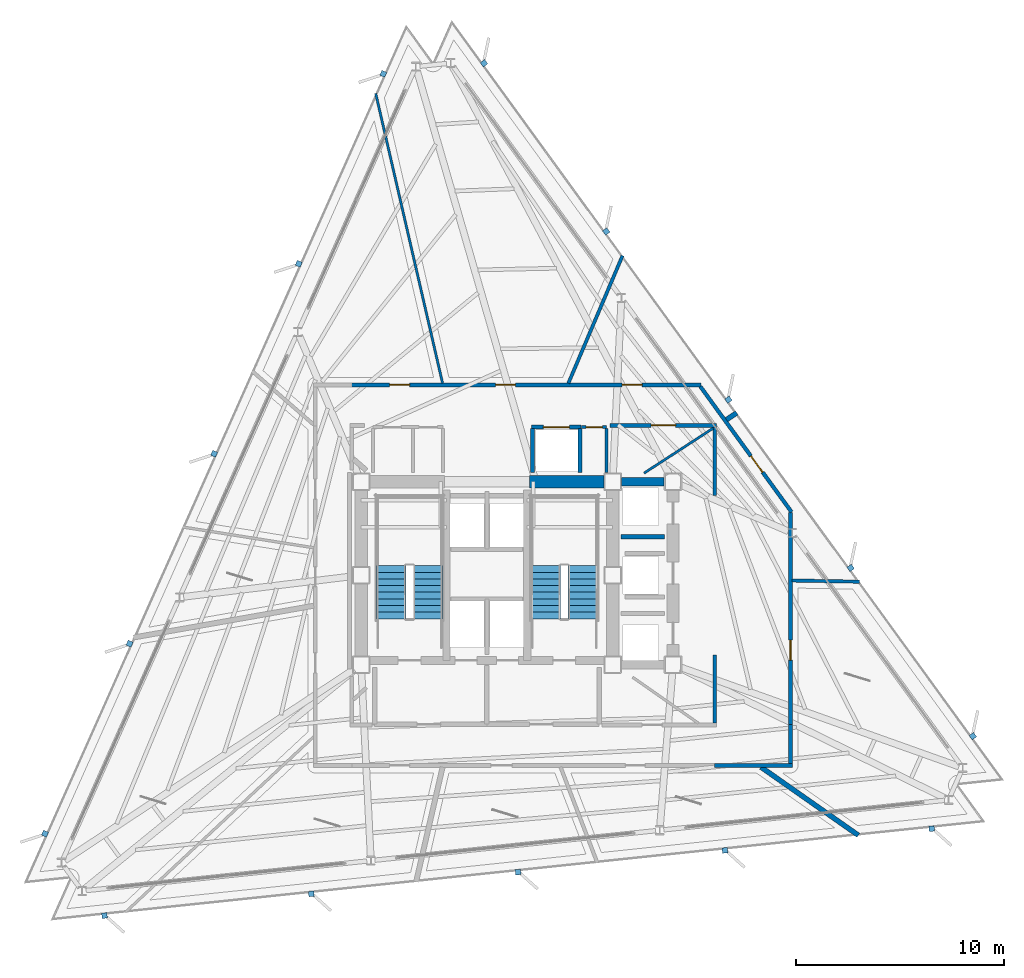
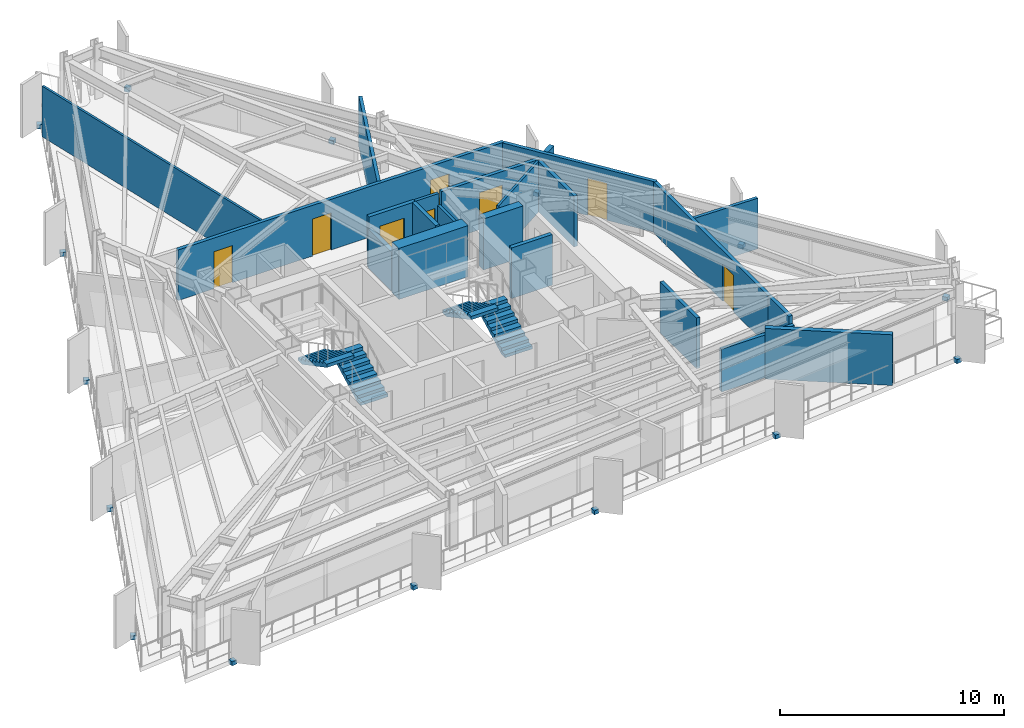
# One storey, part 9 of 12: 22 walls, 15 discrete accessories, 8 doors, 4 stair flights, 8 openings, 2 elements without a shape of their own.
"""IFC4 building model written with IfcOpenShell, lengths in metres."""

from ifc_helpers import new_model, si_unit, direction, frame, frame_2d, origin, origin_2d, place, context, subcontext, project, spatial, polyline, rectangle, outline, extrude, material, layer, layer_set, type_object, element, fill, aggregate, save


model = new_model("IFC4")

# Units and contexts
model_context = context("Model", 3, precision=1e-05, world=origin(), true_north=direction((0.0, 1.0)))
body_context = subcontext(model_context, "Body", "Model", "MODEL_VIEW")
ifc_project = project(units=[si_unit("LENGTHUNIT", "METRE"), si_unit("AREAUNIT", "SQUARE_METRE"), si_unit("VOLUMEUNIT", "CUBIC_METRE"), si_unit("PLANEANGLEUNIT", "RADIAN"), si_unit("MASSUNIT", "GRAM", prefix="KILO")], contexts=[model_context])

# Site, building, storey
site_placement = place(None, origin())
site = spatial("IfcSite", under=ifc_project, at=site_placement, CompositionType="ELEMENT")
building_placement = place(site_placement, origin())
building = spatial("IfcBuilding", under=site, at=building_placement, Name="Rocaltana Carrier Exchange", CompositionType="ELEMENT")
storey_placement = place(building_placement, frame((0.0, 0.0, 113.760009765625)))
storey = spatial("IfcBuildingStorey", under=building, at=storey_placement, Name="L35", CompositionType="ELEMENT", Elevation=113.760009765625)

# Walls
ifc_material_1 = material(Name="Double Acoustic Gypsum Partition", Category="gypsum")
ifc_layer_1 = layer(ifc_material_1, 0.159912109375)
ifc_layer_set_1 = layer_set([ifc_layer_1], Name="Double Acoustic Gypsum Partition")
wall_type_1 = type_object("IfcWallType", Name="Acoustic Studio Partition 160 EI60", PredefinedType="PARTITIONING", material=ifc_layer_set_1)
wall_1_placement = place(storey_placement, frame((14.679931640625, -0.256103515625, 0.0), z_axis=(0.0, 0.0, 1.0), x_axis=(0.999846583078, -0.017516001455, 0.0)))
element("IfcWall", 1, at=wall_1_placement, inside=storey, type_object=wall_type_1, Name="L35 Suite Divider Wall D8", PredefinedType="PARTITIONING", context=body_context, shape_type="SweptSolid", body=[
    extrude(rectangle(XDim=3.233642578125, YDim=0.159912109375, at=frame_2d((1.61669921875, 0.0))), origin(), (0.0, 0.0, 1.0), 2.762939453125),
])
wall_2_placement = place(storey_placement, frame((3.91796875, 9.22998046875, 0.0), z_axis=(0.0, 0.0, 1.0), x_axis=(0.390716336296, 0.920511132226, 0.0)))
element("IfcWall", 2, at=wall_2_placement, inside=storey, type_object=wall_type_1, Name="L35 Suite Divider Wall D11", PredefinedType="PARTITIONING", context=body_context, shape_type="SweptSolid", body=[
    extrude(rectangle(XDim=6.665283203125, YDim=0.159912109375, at=frame_2d((3.33251953125, 0.0))), origin(), (0.0, 0.0, 1.0), 2.762939453125),
])
ifc_material_2 = material(Name="Concrete C50/60", Category="concrete")
ifc_layer_2 = layer(ifc_material_2, 0.39990234375)
ifc_layer_set_2 = layer_set([ifc_layer_2], Name="Concrete C50/60")
wall_type_2 = type_object("IfcWallType", Name="Core Internal Shear Wall 400", PredefinedType="SHEAR", material=ifc_layer_set_2)
wall_3_placement = place(storey_placement, frame((6.47509765625, 4.5, 0.0), z_axis=(0.0, 0.0, 1.0), x_axis=(1.0, 0.0, 0.0)))
element("IfcWall", 3, at=wall_3_placement, inside=storey, type_object=wall_type_2, Name="L35 Core Shear Wall CW-EWN", PredefinedType="SHEAR", context=body_context, shape_type="SweptSolid", body=[
    extrude(rectangle(XDim=2.0498046875, YDim=0.39990234375, at=frame_2d((1.02490234375, 0.0))), origin(), (0.0, 0.0, 1.0), 2.7880859375),
])
ifc_material_3 = material(Name="Concrete C50/60", Category="concrete")
ifc_layer_3 = layer(ifc_material_3, 0.60009765625)
ifc_layer_set_3 = layer_set([ifc_layer_3], Name="Concrete C50/60")
wall_type_3 = type_object("IfcWallType", Name="Core Shear Wall 600", PredefinedType="SHEAR", material=ifc_layer_set_3)
wall_4_placement = place(storey_placement, frame((2.050048828125, 4.5, 0.0), z_axis=(0.0, 0.0, 1.0), x_axis=(1.0, 0.0, 0.0)))
element("IfcWall", 4, at=wall_4_placement, inside=storey, type_object=wall_type_3, Name="L35 Core Shear Wall CW-N2", PredefinedType="SHEAR", context=body_context, shape_type="SweptSolid", body=[
    extrude(rectangle(XDim=3.574951171875, YDim=0.60009765625, at=frame_2d((1.78759765625, 0.0))), origin(), (0.0, 0.0, 1.0), 2.7880859375),
])

# Wall, openings, doors
ifc_material_4 = material(Name="Gypsum & Steel Stud Partition", Category="steel")
ifc_layer_4 = layer(ifc_material_4, 0.179931640625)
ifc_layer_set_4 = layer_set([ifc_layer_4], Name="Gypsum & Steel Stud Partition")
wall_type_4 = type_object("IfcWallType", Name="Corridor Fire Partition 180 EI60", PredefinedType="PARTITIONING", material=ifc_layer_set_4)
wall_5_placement = place(storey_placement, frame((-6.52001953125, 9.14990234375, 0.0), z_axis=(0.0, 0.0, 1.0), x_axis=(1.0, 0.0, 0.0)))
wall_5 = element("IfcWall", 5, at=wall_5_placement, inside=storey, type_object=wall_type_4, Name="L35 Corridor Partition 6", PredefinedType="PARTITIONING", context=body_context, shape_type="SweptSolid", body=[
    extrude(rectangle(XDim=16.820068359375, YDim=0.179931640625, at=frame_2d((8.41015625, 0.0))), origin(), (0.0, 0.0, 1.0), 2.762939453125),
])
opening_1_placement = place(wall_5_placement, frame((13.022216796875, 0.0, 0.0)))
opening_1 = element("IfcOpeningElement", 6, at=opening_1_placement, cuts=wall_5, Name="Opening D-RM098", PredefinedType="OPENING", context=body_context, shape_type="SweptSolid", body=[
    extrude(rectangle(XDim=0.9599609375, YDim=2.02001953125, at=frame_2d((0.47998046875, 1.010009765625))), frame((0.0, 0.099853515625, 0.0), z_axis=(0.0, -1.0, 0.0), x_axis=(1.0, 0.0, 0.0)), (0.0, 0.0, 1.0), 0.199951171875),
])
opening_2_placement = place(wall_5_placement, frame((6.933837890625, 0.0, 0.0)))
opening_2 = element("IfcOpeningElement", 7, at=opening_2_placement, cuts=wall_5, Name="Opening D-RM098", PredefinedType="OPENING", context=body_context, shape_type="SweptSolid", body=[
    extrude(rectangle(XDim=0.9599609375, YDim=2.02001953125, at=frame_2d((0.47998046875, 1.010009765625))), frame((0.0, 0.099853515625, 0.0), z_axis=(0.0, -1.0, 0.0), x_axis=(1.0, 0.0, 0.0)), (0.0, 0.0, 1.0), 0.199951171875),
])
opening_3_placement = place(wall_5_placement, frame((1.843505859375, 0.0, 0.0)))
opening_3 = element("IfcOpeningElement", 8, at=opening_3_placement, cuts=wall_5, Name="Opening D-RM098", PredefinedType="OPENING", context=body_context, shape_type="SweptSolid", body=[
    extrude(rectangle(XDim=0.9599609375, YDim=2.02001953125, at=frame_2d((0.47998046875, 1.010009765625))), frame((0.0, 0.099853515625, 0.0), z_axis=(0.0, -1.0, 0.0), x_axis=(1.0, 0.0, 0.0)), (0.0, 0.0, 1.0), 0.199951171875),
])
ifc_material_5 = material(Name="Engineered Hardwood Timber", Category="wood")
door_type_1 = type_object("IfcDoorType", Name="Workspace Single Door 960x2020", OperationType="NOTDEFINED", PredefinedType="DOOR", material=ifc_material_5)
door_1_placement = place(opening_1_placement, origin())
door_1 = element("IfcDoor", 9, at=door_1_placement, inside=storey, type_object=door_type_1, Name="L35 Cloud Architecture Office Entrance Door", OperationType="SINGLE_SWING_LEFT", OverallHeight=2.02001953125, OverallWidth=0.9599609375, PredefinedType="DOOR", context=body_context, shape_type="SweptSolid", body=[
    extrude(rectangle(XDim=0.9599609375, YDim=2.02001953125, at=frame_2d((0.47998046875, 1.010009765625))), frame((0.0, 0.02490234375, 0.0), z_axis=(0.0, -1.0, 0.0), x_axis=(1.0, 0.0, 0.0)), (0.0, 0.0, 1.0), 0.050048828125),
])
fill(opening_1, door_1)
door_2_placement = place(opening_2_placement, origin())
door_2 = element("IfcDoor", 10, at=door_2_placement, inside=storey, type_object=door_type_1, Name="L35 Peering Conference Room Entrance Door", OperationType="SINGLE_SWING_RIGHT", OverallHeight=2.02001953125, OverallWidth=0.9599609375, PredefinedType="DOOR", context=body_context, shape_type="SweptSolid", body=[
    extrude(rectangle(XDim=0.9599609375, YDim=2.02001953125, at=frame_2d((0.47998046875, 1.010009765625))), frame((0.0, 0.02490234375, 0.0), z_axis=(0.0, -1.0, 0.0), x_axis=(1.0, 0.0, 0.0)), (0.0, 0.0, 1.0), 0.050048828125),
])
fill(opening_2, door_2)
door_3_placement = place(opening_3_placement, origin())
door_3 = element("IfcDoor", 11, at=door_3_placement, inside=storey, type_object=door_type_1, Name="L35 Incident Briefing Room Entrance Door", OperationType="SINGLE_SWING_LEFT", OverallHeight=2.02001953125, OverallWidth=0.9599609375, PredefinedType="DOOR", context=body_context, shape_type="SweptSolid", body=[
    extrude(rectangle(XDim=0.9599609375, YDim=2.02001953125, at=frame_2d((0.47998046875, 1.010009765625))), frame((0.0, 0.02490234375, 0.0), z_axis=(0.0, -1.0, 0.0), x_axis=(1.0, 0.0, 0.0)), (0.0, 0.0, 1.0), 0.050048828125),
])
fill(opening_3, door_3)

# Wall, opening, door
wall_6_placement = place(storey_placement, frame((10.262939453125, 9.0771484375, 0.0), z_axis=(0.0, 0.0, 1.0), x_axis=(0.587780951295, -0.809020119215, 0.0)))
wall_6 = element("IfcWall", 12, at=wall_6_placement, inside=storey, type_object=wall_type_4, Name="L35 Corridor Partition 7", PredefinedType="PARTITIONING", context=body_context, shape_type="SweptSolid", body=[
    extrude(rectangle(XDim=7.468505859375, YDim=0.179931640625, at=frame_2d((3.734375, 0.0))), origin(), (0.0, 0.0, 1.0), 2.762939453125),
])
opening_4_placement = place(wall_6_placement, frame((4.13916015625, 0.0, 0.0)))
opening_4 = element("IfcOpeningElement", 13, at=opening_4_placement, cuts=wall_6, Name="Opening D-RM098", PredefinedType="OPENING", context=body_context, shape_type="SweptSolid", body=[
    extrude(rectangle(XDim=0.9599609375, YDim=2.02001953125, at=frame_2d((0.47998046875, 1.010009765625))), frame((0.0, 0.099853515625, 0.0), z_axis=(0.0, -1.0, 0.0), x_axis=(1.0, 0.0, 0.0)), (0.0, 0.0, 1.0), 0.199951171875),
])
door_4_placement = place(opening_4_placement, origin())
door_4 = element("IfcDoor", 14, at=door_4_placement, inside=storey, type_object=door_type_1, Name="L35 Incident Briefing Room Entrance Door", OperationType="SINGLE_SWING_LEFT", OverallHeight=2.02001953125, OverallWidth=0.9599609375, PredefinedType="DOOR", context=body_context, shape_type="SweptSolid", body=[
    extrude(rectangle(XDim=0.9599609375, YDim=2.02001953125, at=frame_2d((0.47998046875, 1.010009765625))), frame((0.0, 0.02490234375, 0.0), z_axis=(0.0, -1.0, 0.0), x_axis=(1.0, 0.0, 0.0)), (0.0, 0.0, 1.0), 0.050048828125),
])
fill(opening_4, door_4)

wall_7_placement = place(storey_placement, frame((14.60009765625, 3.017578125, 0.0), z_axis=(0.0, 0.0, 1.0), x_axis=(0.0, -1.0, 0.0)))
wall_7 = element("IfcWall", 15, at=wall_7_placement, inside=storey, type_object=wall_type_4, Name="L35 Corridor Partition 8", PredefinedType="PARTITIONING", context=body_context, shape_type="SweptSolid", body=[
    extrude(rectangle(XDim=10.237548828125, YDim=0.179931640625, at=frame_2d((5.11865234375, 0.0))), origin(), (0.0, 0.0, 1.0), 2.762939453125),
])
opening_5_placement = place(wall_7_placement, frame((6.145751953125, 0.0, 0.0)))
opening_5 = element("IfcOpeningElement", 16, at=opening_5_placement, cuts=wall_7, Name="Opening D-RM098", PredefinedType="OPENING", context=body_context, shape_type="SweptSolid", body=[
    extrude(rectangle(XDim=0.9599609375, YDim=2.02001953125, at=frame_2d((0.47998046875, 1.010009765625))), frame((0.0, 0.099853515625, 0.0), z_axis=(0.0, -1.0, 0.0), x_axis=(1.0, 0.0, 0.0)), (0.0, 0.0, 1.0), 0.199951171875),
])
door_5_placement = place(opening_5_placement, origin())
door_5 = element("IfcDoor", 17, at=door_5_placement, inside=storey, type_object=door_type_1, Name="L35 Quiet Focus Lounge Entrance Door", OperationType="SINGLE_SWING_RIGHT", OverallHeight=2.02001953125, OverallWidth=0.9599609375, PredefinedType="DOOR", context=body_context, shape_type="SweptSolid", body=[
    extrude(rectangle(XDim=0.9599609375, YDim=2.02001953125, at=frame_2d((0.47998046875, 1.010009765625))), frame((0.0, 0.02490234375, 0.0), z_axis=(0.0, -1.0, 0.0), x_axis=(1.0, 0.0, 0.0)), (0.0, 0.0, 1.0), 0.050048828125),
])
fill(opening_5, door_5)

# Walls
wall_8_placement = place(storey_placement, frame((14.60009765625, -7.179931640625, 0.0), z_axis=(0.0, 0.0, 1.0), x_axis=(0.0, -1.0, 0.0)))
element("IfcWall", 18, at=wall_8_placement, inside=storey, type_object=wall_type_4, Name="L35 Corridor Partition 9", PredefinedType="PARTITIONING", context=body_context, shape_type="SweptSolid", body=[
    extrude(rectangle(XDim=1.880126953125, YDim=0.179931640625, at=frame_2d((0.93994140625, 0.0))), origin(), (0.0, 0.0, 1.0), 2.762939453125),
])
wall_9_placement = place(storey_placement, frame((14.68994140625, -9.14990234375, 0.0), z_axis=(0.0, 0.0, 1.0), x_axis=(-1.0, 0.0, 0.0)))
element("IfcWall", 19, at=wall_9_placement, inside=storey, type_object=wall_type_4, Name="L35 Corridor Partition 10", PredefinedType="PARTITIONING", context=body_context, shape_type="SweptSolid", body=[
    extrude(rectangle(XDim=3.75, YDim=0.179931640625, at=frame_2d((1.875, 0.0))), origin(), (0.0, 0.0, 1.0), 2.330078125),
])
for number, where, z_axis, x_axis, name in (
    (20, (10.9599609375, -7.110107421875, 0.0), (0.0, 0.0, 1.0), (0.0, 1.0, 0.0), "L35 Corridor Partition 13"),
    (21, (10.9599609375, 3.839599609375, 0.0), (0.0, 0.0, 1.0), (0.0, 1.0, 0.0), "L35 Corridor Partition 14"),
):
    element("IfcWall", number, at=place(storey_placement, frame(where, z_axis=z_axis, x_axis=x_axis)), inside=storey, type_object=wall_type_4, Name=name, PredefinedType="PARTITIONING", context=body_context, shape_type="SweptSolid", body=[
        extrude(rectangle(XDim=3.2705078125, YDim=0.179931640625, at=frame_2d((1.63525390625, 0.0))), origin(), (0.0, 0.0, 1.0), 2.762939453125),
    ])

# Wall, opening, door
wall_10_placement = place(storey_placement, frame((11.050048828125, 7.199951171875, 0.0), z_axis=(0.0, 0.0, 1.0), x_axis=(-1.0, 0.0, 0.0)))
wall_10 = element("IfcWall", 22, at=wall_10_placement, inside=storey, type_object=wall_type_4, Name="L35 Corridor Partition 15", PredefinedType="PARTITIONING", context=body_context, shape_type="SweptSolid", body=[
    extrude(rectangle(XDim=5.1201171875, YDim=0.179931640625, at=frame_2d((2.56005859375, 0.0))), origin(), (0.0, 0.0, 1.0), 2.762939453125),
])
opening_6_placement = place(wall_10_placement, frame((1.969970703125, 0.0, 0.0)))
opening_6 = element("IfcOpeningElement", 23, at=opening_6_placement, cuts=wall_10, Name="Opening D-SU120", PredefinedType="OPENING", context=body_context, shape_type="SweptSolid", body=[
    extrude(rectangle(XDim=1.179931640625, YDim=2.02001953125, at=frame_2d((0.58984375, 1.010009765625))), frame((0.0, 0.099853515625, 0.0), z_axis=(0.0, -1.0, 0.0), x_axis=(1.0, 0.0, 0.0)), (0.0, 0.0, 1.0), 0.199951171875),
])
ifc_material_6 = material(Name="Engineered Hardwood Timber", Category="wood")
door_type_2 = type_object("IfcDoorType", Name="Suite Double Entrance Door 1180x2020", OperationType="NOTDEFINED", PredefinedType="DOOR", material=ifc_material_6)
door_6_placement = place(opening_6_placement, origin())
door_6 = element("IfcDoor", 24, at=door_6_placement, inside=storey, type_object=door_type_2, Name="L35 Carrier Peering Suite Entrance Door", OperationType="SINGLE_SWING_RIGHT", OverallHeight=2.02001953125, OverallWidth=1.179931640625, PredefinedType="DOOR", context=body_context, shape_type="SweptSolid", body=[
    extrude(rectangle(XDim=1.179931640625, YDim=2.02001953125, at=frame_2d((0.58984375, 1.010009765625))), frame((0.0, 0.02490234375, 0.0), z_axis=(0.0, -1.0, 0.0), x_axis=(1.0, 0.0, 0.0)), (0.0, 0.0, 1.0), 0.050048828125),
])
fill(opening_6, door_6)

# Walls
ifc_material_7 = material(Name="Aluminium 6063-T6 & Acoustic Glass", Category="aluminium")
ifc_layer_5 = layer(ifc_material_7, 0.114990234375)
ifc_layer_set_5 = layer_set([ifc_layer_5], Name="Aluminium 6063-T6 & Acoustic Glass")
wall_type_5 = type_object("IfcWallType", Name="Demountable Glazed Lab Partition 115", PredefinedType="MOVABLE", material=ifc_layer_set_5)
wall_11_placement = place(storey_placement, frame((7.560791015625, 4.909912109375, 0.0), z_axis=(0.0, 0.0, 1.0), x_axis=(0.838633829817, 0.544695602595, 0.0)))
element("IfcWall", 25, at=wall_11_placement, inside=storey, type_object=wall_type_5, Name="L35 Suite Divider Wall D9", PredefinedType="MOVABLE", context=body_context, shape_type="SweptSolid", body=[
    extrude(rectangle(XDim=3.957763671875, YDim=0.114990234375, at=frame_2d((1.97900390625, 0.0))), origin(), (0.0, 0.0, 1.0), 2.762939453125),
])
wall_12_placement = place(storey_placement, frame((-2.130859375, 9.22998046875, 0.0), z_axis=(0.0, 0.0, 1.0), x_axis=(-0.224960484743, 0.974367887558, 0.0)))
element("IfcWall", 26, at=wall_12_placement, inside=storey, type_object=wall_type_5, Name="L35 Suite Divider Wall D12", PredefinedType="MOVABLE", context=body_context, shape_type="SweptSolid", body=[
    extrude(rectangle(XDim=14.302734375, YDim=0.114990234375, at=frame_2d((7.1513671875, 0.0))), origin(), (0.0, 0.0, 1.0), 2.762939453125),
])
ifc_material_8 = material(Name="Acoustic Calcium Silicate Partition", Category="gypsum")
ifc_layer_6 = layer(ifc_material_8, 0.239990234375)
ifc_layer_set_6 = layer_set([ifc_layer_6], Name="Acoustic Calcium Silicate Partition")
wall_type_6 = type_object("IfcWallType", Name="Heavy Lab Partition 240 EI90", PredefinedType="PARTITIONING", material=ifc_layer_set_6)
wall_13_placement = place(storey_placement, frame((13.181884765625, -9.22998046875, 0.0), z_axis=(0.0, 0.0, 1.0), x_axis=(0.819133610169, -0.573602762102, 0.0)))
element("IfcWall", 27, at=wall_13_placement, inside=storey, type_object=wall_type_6, Name="L35 Suite Divider Wall D7", PredefinedType="PARTITIONING", context=body_context, shape_type="SweptSolid", body=[
    extrude(rectangle(XDim=5.717529296875, YDim=0.239990234375, at=frame_2d((2.85888671875, 0.0))), origin(), (0.0, 0.0, 1.0), 2.762939453125),
])
wall_14_placement = place(storey_placement, frame((11.52099609375, 7.481689453125, 0.0), z_axis=(0.0, 0.0, 1.0), x_axis=(0.838415292805, 0.545031922726, 0.0)))
element("IfcWall", 28, at=wall_14_placement, inside=storey, type_object=wall_type_6, Name="L35 Suite Divider Wall D10", PredefinedType="PARTITIONING", context=body_context, shape_type="SweptSolid", body=[
    extrude(rectangle(XDim=0.5908203125, YDim=0.239990234375, at=frame_2d((0.29541015625, 0.0))), origin(), (0.0, 0.0, 1.0), 2.762939453125),
])
ifc_material_9 = material(Name="Reinforced Concrete Block C35/45", Category="concrete")
ifc_layer_7 = layer(ifc_material_9, 0.199951171875)
ifc_layer_set_7 = layer_set([ifc_layer_7], Name="Reinforced Concrete Block C35/45")
wall_type_7 = type_object("IfcWallType", Name="Lift Hoistway Enclosure Wall 200 EI120", PredefinedType="PARTITIONING", material=ifc_layer_set_7)
wall_15_placement = place(storey_placement, frame((2.199951171875, 4.949951171875, 0.0), z_axis=(0.0, 0.0, 1.0), x_axis=(0.0, 1.0, 0.0)))
element("IfcWall", 29, at=wall_15_placement, inside=storey, type_object=wall_type_7, Name="L35 Goods Lift West Wall", PredefinedType="PARTITIONING", context=body_context, shape_type="SweptSolid", body=[
    extrude(rectangle(XDim=2.10009765625, YDim=0.199951171875, at=frame_2d((1.050048828125, 0.0))), origin(), (0.0, 0.0, 1.0), 2.132080078125),
])
wall_16_placement = place(storey_placement, frame((4.47998046875, 4.949951171875, 0.0), z_axis=(0.0, 0.0, 1.0), x_axis=(0.0, 1.0, 0.0)))
element("IfcWall", 30, at=wall_16_placement, inside=storey, type_object=wall_type_7, Name="L35 Goods Lift East Wall", PredefinedType="PARTITIONING", context=body_context, shape_type="SweptSolid", body=[
    extrude(rectangle(XDim=2.10009765625, YDim=0.199951171875, at=frame_2d((1.050048828125, 0.0))), origin(), (0.0, 0.0, 1.0), 2.762939453125),
])

# Wall, opening, door
wall_17_placement = place(storey_placement, frame((2.14990234375, 7.1201171875, 0.0), z_axis=(0.0, 0.0, 1.0), x_axis=(1.0, 0.0, 0.0)))
wall_17 = element("IfcWall", 31, at=wall_17_placement, inside=storey, type_object=wall_type_7, Name="L35 Goods Lift Front Wall", PredefinedType="PARTITIONING", context=body_context, shape_type="SweptSolid", body=[
    extrude(rectangle(XDim=2.380126953125, YDim=0.199951171875, at=frame_2d((1.18994140625, 0.0))), origin(), (0.0, 0.0, 1.0), 2.762939453125),
])
opening_7_placement = place(wall_17_placement, frame((0.56005859375, 0.0, 0.0)))
opening_7 = element("IfcOpeningElement", 32, at=opening_7_placement, cuts=wall_17, Name="Opening LD-130", PredefinedType="OPENING", context=body_context, shape_type="SweptSolid", body=[
    extrude(rectangle(XDim=1.260009765625, YDim=2.06005859375, at=frame_2d((0.6298828125, 1.030029296875))), frame((0.0, 0.10986328125, 0.0), z_axis=(0.0, -1.0, 0.0), x_axis=(1.0, 0.0, 0.0)), (0.0, 0.0, 1.0), 0.219970703125),
])
ifc_material_10 = material(Name="Brushed Stainless Sliding Door Leaf", Category="steel")
door_type_3 = type_object("IfcDoorType", Name="Goods Lift Landing Sliding Door 1260x2060", OperationType="NOTDEFINED", PredefinedType="DOOR", material=ifc_material_10)
door_7_placement = place(opening_7_placement, origin())
door_7 = element("IfcDoor", 33, at=door_7_placement, inside=storey, type_object=door_type_3, Name="L35 Goods Lift GL-1 Landing Door", OperationType="SLIDING_TO_LEFT", OverallHeight=2.06005859375, OverallWidth=1.260009765625, PredefinedType="DOOR", context=body_context, shape_type="SweptSolid", body=[
    extrude(rectangle(XDim=1.260009765625, YDim=2.06005859375, at=frame_2d((0.6298828125, 1.030029296875))), frame((0.0, 0.02490234375, 0.0), z_axis=(0.0, -1.0, 0.0), x_axis=(1.0, 0.0, 0.0)), (0.0, 0.0, 1.0), 0.050048828125),
])
fill(opening_7, door_7)

# Walls
wall_18_placement = place(storey_placement, frame((6.449951171875, 1.85009765625, 0.0), z_axis=(0.0, 0.0, 1.0), x_axis=(1.0, 0.0, 0.0)))
element("IfcWall", 34, at=wall_18_placement, inside=storey, type_object=wall_type_7, Name="L35 Mid-Rise Shaft Divider 2", PredefinedType="PARTITIONING", context=body_context, shape_type="SweptSolid", body=[
    extrude(rectangle(XDim=2.10009765625, YDim=0.199951171875, at=frame_2d((1.050048828125, 0.0))), origin(), (0.0, 0.0, 1.0), 2.762939453125),
])
ifc_material_11 = material(Name="Moisture-Resistant Masonry C30/37", Category="masonry")
ifc_layer_8 = layer(ifc_material_11, 0.139892578125)
ifc_layer_set_8 = layer_set([ifc_layer_8], Name="Moisture-Resistant Masonry C30/37")
wall_type_8 = type_object("IfcWallType", Name="Wet-Area Sanitary Partition 140", PredefinedType="PARTITIONING", material=ifc_layer_set_8)
wall_19_placement = place(storey_placement, frame((5.760009765625, 4.949951171875, 0.0), z_axis=(0.0, 0.0, 1.0), x_axis=(0.0, 1.0, 0.0)))
element("IfcWall", 35, at=wall_19_placement, inside=storey, type_object=wall_type_8, Name="L35 Riser East Wall", PredefinedType="PARTITIONING", context=body_context, shape_type="SweptSolid", body=[
    extrude(rectangle(XDim=2.10009765625, YDim=0.139892578125, at=frame_2d((1.050048828125, 0.0))), origin(), (0.0, 0.0, 1.0), 2.132080078125),
])

# Wall, opening, door
wall_20_placement = place(storey_placement, frame((4.56005859375, 7.1201171875, 0.0), z_axis=(0.0, 0.0, 1.0), x_axis=(1.0, 0.0, 0.0)))
wall_20 = element("IfcWall", 36, at=wall_20_placement, inside=storey, type_object=wall_type_8, Name="L35 Riser North Wall", PredefinedType="PARTITIONING", context=body_context, shape_type="SweptSolid", body=[
    extrude(rectangle(XDim=1.199951171875, YDim=0.139892578125, at=frame_2d((0.60009765625, 0.0))), origin(), (0.0, 0.0, 1.0), 2.762939453125),
])
opening_8_placement = place(wall_20_placement, frame((0.2099609375, 0.0, 0.0)))
opening_8 = element("IfcOpeningElement", 37, at=opening_8_placement, cuts=wall_20, Name="Opening D-RS082", PredefinedType="OPENING", context=body_context, shape_type="SweptSolid", body=[
    extrude(rectangle(XDim=0.780029296875, YDim=2.010009765625, at=frame_2d((0.39013671875, 1.0048828125))), frame((0.0, 0.079833984375, 0.0), z_axis=(0.0, -1.0, 0.0), x_axis=(1.0, 0.0, 0.0)), (0.0, 0.0, 1.0), 0.159912109375),
])
ifc_material_12 = material(Name="Hollow Metal Access Door Leaf", Category="steel")
door_type_4 = type_object("IfcDoorType", Name="Riser & Service Closet Door 780x2010", OperationType="NOTDEFINED", PredefinedType="DOOR", material=ifc_material_12)
door_8_placement = place(opening_8_placement, origin())
door_8 = element("IfcDoor", 38, at=door_8_placement, inside=storey, type_object=door_type_4, Name="L35 Fibre Riser Closet Door", OperationType="SINGLE_SWING_LEFT", OverallHeight=2.010009765625, OverallWidth=0.780029296875, PredefinedType="DOOR", context=body_context, shape_type="SweptSolid", body=[
    extrude(rectangle(XDim=0.780029296875, YDim=2.010009765625, at=frame_2d((0.39013671875, 1.0048828125))), frame((0.0, 0.02490234375, 0.0), z_axis=(0.0, -1.0, 0.0), x_axis=(1.0, 0.0, 0.0)), (0.0, 0.0, 1.0), 0.050048828125),
])
fill(opening_8, door_8)

# Stair, stair flights
ifc_material_13 = material(Name="Precast concrete C45/55", Category="concrete")
stair_type = type_object("IfcStairType", Name="Standard Dog-Leg Stair 160", PredefinedType="HALF_TURN_STAIR", material=ifc_material_13)
stair_1_placement = place(storey_placement, origin())
stair_1 = element("IfcStair", 39, at=stair_1_placement, inside=storey, type_object=stair_type, Name="L35 Core West Exit Stair ST-1", PredefinedType="HALF_TURN_STAIR")
ifc_material_14 = material(Name="Precast concrete C45/55", Category="concrete")
stair_flight_type = type_object("IfcStairFlightType", Name="Precast Stair Flight 160", PredefinedType="STRAIGHT", material=ifc_material_14)
stair_flight_1_placement = place(storey_placement, frame((-2.840087890625, -2.10009765625, 0.0), z_axis=(0.0, 0.0, 1.0), x_axis=(0.0, 1.0, 0.0)))
stair_flight_1 = element("IfcStairFlight", 40, at=stair_flight_1_placement, type_object=stair_flight_type, Name="ST-1 flight 1", NumberOfRisers=9, NumberOfTreads=8, PredefinedType="STRAIGHT", RiserHeight=0.168888889, TreadLength=0.32, context=body_context, shape_type="SweptSolid", body=[
    extrude(outline(polyline([(0.0, 0.0), (0.0, 0.1689453125), (0.320068359375, 0.1689453125), (0.320068359375, 0.337890625), (0.639892578125, 0.337890625), (0.639892578125, 0.506591796875), (0.9599609375, 0.506591796875), (0.9599609375, 0.675537109375), (1.280029296875, 0.675537109375), (1.280029296875, 0.844482421875), (1.60009765625, 0.844482421875), (1.60009765625, 1.013427734375), (1.919921875, 1.013427734375), (1.919921875, 1.18212890625), (2.239990234375, 1.18212890625), (2.239990234375, 1.35107421875), (2.56005859375, 1.35107421875), (2.56005859375, 1.52001953125), (2.56005859375, 1.17041015625), (0.342529296875, 0.0), (0.0, 0.0)])), frame((0.0, 0.699951171875, 0.0), z_axis=(0.0, -1.0, 0.0), x_axis=(1.0, 0.0, 0.0)), (0.0, 0.0, 1.0), 1.39990234375),
])
stair_flight_2_placement = place(storey_placement, frame((-4.60009765625, 0.4599609375, 1.52001953125), z_axis=(0.0, 0.0, 1.0), x_axis=(0.0, -1.0, 0.0)))
stair_flight_2 = element("IfcStairFlight", 41, at=stair_flight_2_placement, type_object=stair_flight_type, Name="ST-1 flight 2", NumberOfRisers=9, NumberOfTreads=8, PredefinedType="STRAIGHT", RiserHeight=0.168888889, TreadLength=0.32, context=body_context, shape_type="SweptSolid", body=[
    extrude(outline(polyline([(0.0, 0.0), (0.0, 0.1689453125), (0.320068359375, 0.1689453125), (0.320068359375, 0.337890625), (0.639892578125, 0.337890625), (0.639892578125, 0.506591796875), (0.9599609375, 0.506591796875), (0.9599609375, 0.675537109375), (1.280029296875, 0.675537109375), (1.280029296875, 0.844482421875), (1.60009765625, 0.844482421875), (1.60009765625, 1.013427734375), (1.919921875, 1.013427734375), (1.919921875, 1.18212890625), (2.239990234375, 1.18212890625), (2.239990234375, 1.35107421875), (2.56005859375, 1.35107421875), (2.56005859375, 1.52001953125), (2.56005859375, 1.17041015625), (0.342529296875, 0.0), (0.0, 0.0)])), frame((0.0, 0.699951171875, 0.0), z_axis=(0.0, -1.0, 0.0), x_axis=(1.0, 0.0, 0.0)), (0.0, 0.0, 1.0), 1.39990234375),
])
aggregate(stair_1, [stair_flight_1, stair_flight_2])

stair_2_placement = place(storey_placement, origin())
stair_2 = element("IfcStair", 42, at=stair_2_placement, inside=storey, type_object=stair_type, Name="L35 Core East Exit Stair ST-2", PredefinedType="HALF_TURN_STAIR")
stair_flight_3_placement = place(storey_placement, frame((4.60009765625, -2.10009765625, 0.0), z_axis=(0.0, 0.0, 1.0), x_axis=(0.0, 1.0, 0.0)))
stair_flight_3 = element("IfcStairFlight", 43, at=stair_flight_3_placement, type_object=stair_flight_type, Name="ST-2 flight 1", NumberOfRisers=9, NumberOfTreads=8, PredefinedType="STRAIGHT", RiserHeight=0.168888889, TreadLength=0.32, context=body_context, shape_type="SweptSolid", body=[
    extrude(outline(polyline([(0.0, 0.0), (0.0, 0.1689453125), (0.320068359375, 0.1689453125), (0.320068359375, 0.337890625), (0.639892578125, 0.337890625), (0.639892578125, 0.506591796875), (0.9599609375, 0.506591796875), (0.9599609375, 0.675537109375), (1.280029296875, 0.675537109375), (1.280029296875, 0.844482421875), (1.60009765625, 0.844482421875), (1.60009765625, 1.013427734375), (1.919921875, 1.013427734375), (1.919921875, 1.18212890625), (2.239990234375, 1.18212890625), (2.239990234375, 1.35107421875), (2.56005859375, 1.35107421875), (2.56005859375, 1.52001953125), (2.56005859375, 1.17041015625), (0.342529296875, 0.0), (0.0, 0.0)])), frame((0.0, 0.699951171875, 0.0), z_axis=(0.0, -1.0, 0.0), x_axis=(1.0, 0.0, 0.0)), (0.0, 0.0, 1.0), 1.39990234375),
])
stair_flight_4_placement = place(storey_placement, frame((2.840087890625, 0.4599609375, 1.52001953125), z_axis=(0.0, 0.0, 1.0), x_axis=(0.0, -1.0, 0.0)))
stair_flight_4 = element("IfcStairFlight", 44, at=stair_flight_4_placement, type_object=stair_flight_type, Name="ST-2 flight 2", NumberOfRisers=9, NumberOfTreads=8, PredefinedType="STRAIGHT", RiserHeight=0.168888889, TreadLength=0.32, context=body_context, shape_type="SweptSolid", body=[
    extrude(outline(polyline([(0.0, 0.0), (0.0, 0.1689453125), (0.320068359375, 0.1689453125), (0.320068359375, 0.337890625), (0.639892578125, 0.337890625), (0.639892578125, 0.506591796875), (0.9599609375, 0.506591796875), (0.9599609375, 0.675537109375), (1.280029296875, 0.675537109375), (1.280029296875, 0.844482421875), (1.60009765625, 0.844482421875), (1.60009765625, 1.013427734375), (1.919921875, 1.013427734375), (1.919921875, 1.18212890625), (2.239990234375, 1.18212890625), (2.239990234375, 1.35107421875), (2.56005859375, 1.35107421875), (2.56005859375, 1.52001953125), (2.56005859375, 1.17041015625), (0.342529296875, 0.0), (0.0, 0.0)])), frame((0.0, 0.699951171875, 0.0), z_axis=(0.0, -1.0, 0.0), x_axis=(1.0, 0.0, 0.0)), (0.0, 0.0, 1.0), 1.39990234375),
])
aggregate(stair_2, [stair_flight_3, stair_flight_4])

# Discrete accessories
ifc_material_15 = material(Name="Brushed Architectural Stainless Metal", Category="steel")
ifc_layer_9 = layer(ifc_material_15, 0.219970703125)
ifc_layer_set_9 = layer_set([ifc_layer_9], Name="Brushed Architectural Stainless Metal")
discrete_accessory_type = type_object("IfcDiscreteAccessoryType", Name="Stainless Fin Slab-Edge Bracket 260x260x220", PredefinedType="BRACKET", material=ifc_layer_set_9)
for number, where, z_axis, x_axis, name in (
    (45, (23.371826171875, -7.74072265625, -0.2099609375), (0.0, 0.0, 1.0), (-0.587785252292, 0.809016994375, 0.0), "L35 Sandstone Fin Edge Bracket F1-01"),
    (46, (17.493896484375, 0.349365234375, -0.2099609375), (0.0, 0.0, 1.0), (-0.587785252292, 0.809016994375, 0.0), "L35 Sandstone Fin Edge Bracket F1-02"),
    (47, (11.6162109375, 8.439697265625, -0.2099609375), (0.0, 0.0, 1.0), (-0.587785252292, 0.809016994375, 0.0), "L35 Sandstone Fin Edge Bracket F1-03"),
    (48, (5.73828125, 16.52978515625, -0.2099609375), (0.0, 0.0, 1.0), (-0.587785252292, 0.809016994375, 0.0), "L35 Sandstone Fin Edge Bracket F1-04"),
    (49, (-0.1396484375, 24.619873046875, -0.2099609375), (0.0, 0.0, 1.0), (-0.587785252292, 0.809016994375, 0.0), "L35 Sandstone Fin Edge Bracket F1-05"),
    (50, (-4.982177734375, 24.111083984375, -0.2099609375), (0.0, 0.0, 1.0), (-0.406736643076, -0.913545457643, 0.0), "L35 Sandstone Fin Edge Bracket F2-01"),
    (51, (-9.049560546875, 14.9755859375, -0.2099609375), (0.0, 0.0, 1.0), (-0.406736643076, -0.913545457643, 0.0), "L35 Sandstone Fin Edge Bracket F2-02"),
    (52, (-13.116943359375, 5.840087890625, -0.2099609375), (0.0, 0.0, 1.0), (-0.406736643076, -0.913545457643, 0.0), "L35 Sandstone Fin Edge Bracket F2-03"),
    (53, (-17.184326171875, -3.29541015625, -0.2099609375), (0.0, 0.0, 1.0), (-0.406736643076, -0.913545457643, 0.0), "L35 Sandstone Fin Edge Bracket F2-04"),
    (54, (-21.251708984375, -12.430908203125, -0.2099609375), (0.0, 0.0, 1.0), (-0.406736643076, -0.913545457643, 0.0), "L35 Sandstone Fin Edge Bracket F2-05"),
    (55, (-18.3896484375, -16.3701171875, -0.2099609375), (0.0, 0.0, 1.0), (0.994521895368, 0.104528463268, 0.0), "L35 Sandstone Fin Edge Bracket F3-01"),
    (56, (-8.4443359375, -15.324951171875, -0.2099609375), (0.0, 0.0, 1.0), (0.994521895368, 0.104528463268, 0.0), "L35 Sandstone Fin Edge Bracket F3-02"),
    (57, (1.500732421875, -14.279541015625, -0.2099609375), (0.0, 0.0, 1.0), (0.994521895368, 0.104528463268, 0.0), "L35 Sandstone Fin Edge Bracket F3-03"),
    (58, (11.446044921875, -13.234375, -0.2099609375), (0.0, 0.0, 1.0), (0.994521895368, 0.104528463268, 0.0), "L35 Sandstone Fin Edge Bracket F3-04"),
    (59, (21.391357421875, -12.189208984375, -0.2099609375), (0.0, 0.0, 1.0), (0.994521895368, 0.104528463268, 0.0), "L35 Sandstone Fin Edge Bracket F3-05"),
):
    element("IfcDiscreteAccessory", number, at=place(storey_placement, frame(where, z_axis=z_axis, x_axis=x_axis)), inside=storey, type_object=discrete_accessory_type, Name=name, PredefinedType="BRACKET", context=body_context, shape_type="SweptSolid", body=[
        extrude(rectangle(XDim=0.260009765625, YDim=0.260009765625, at=origin_2d()), origin(), (0.0, 0.0, 1.0), 0.219970703125),
    ])

save(model, "model.ifc")
